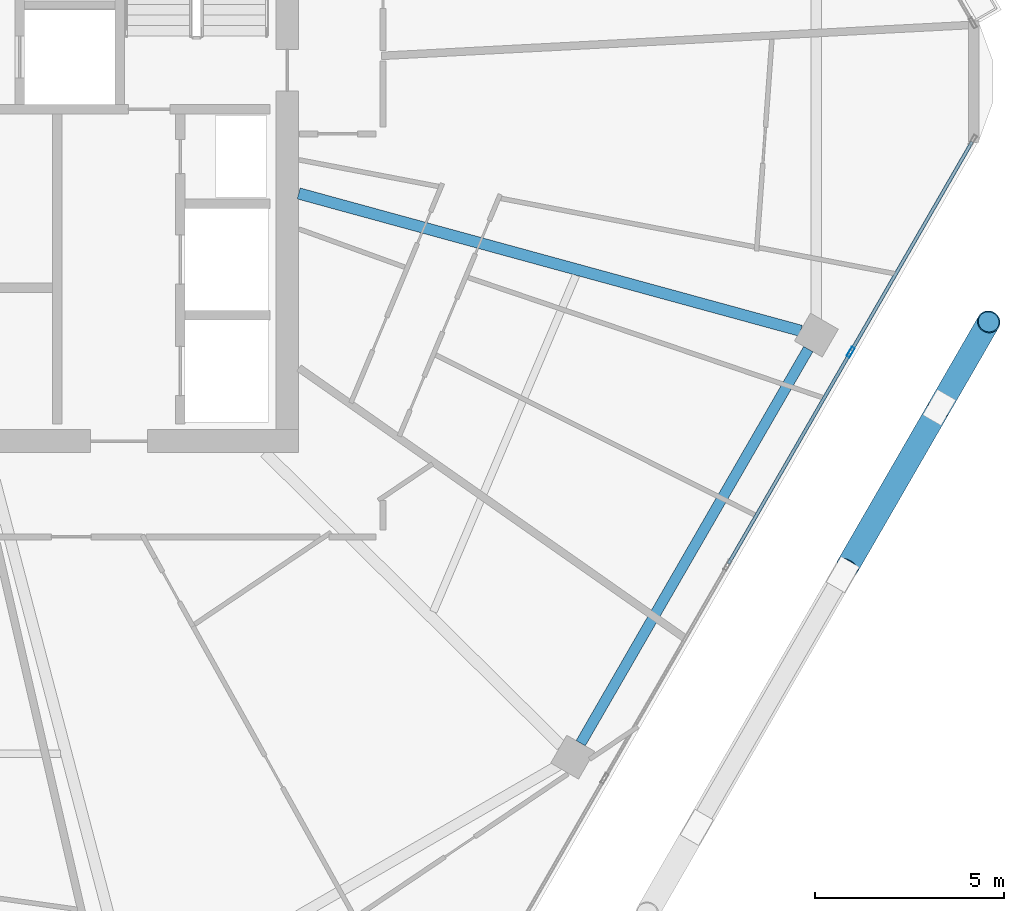
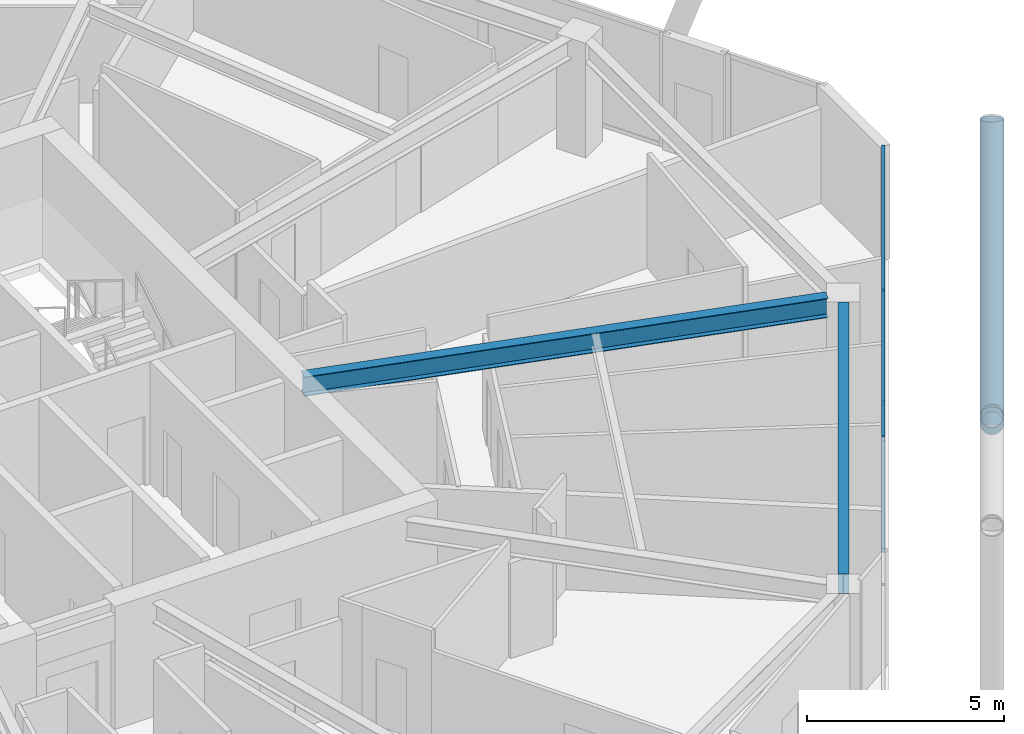
# One storey, part 10 of 28: 7 members, 2 beams, 1 element without a shape of its own.
"""IFC4 building model written with IfcOpenShell, lengths in metres."""

from ifc_helpers import new_model, si_unit, direction, frame, origin, origin_2d, place, context, subcontext, project, spatial, hollow_rectangle, hollow_circle, i_section, extrude, material, material_profile, profile_set, type_object, element, aggregate, save


model = new_model("IFC4")

# Units and contexts
model_context = context("Model", 3, precision=1e-05, world=origin(), true_north=direction((0.0, 1.0)))
body_context = subcontext(model_context, "Body", "Model", "MODEL_VIEW")
ifc_project = project(units=[si_unit("LENGTHUNIT", "METRE"), si_unit("AREAUNIT", "SQUARE_METRE"), si_unit("VOLUMEUNIT", "CUBIC_METRE"), si_unit("PLANEANGLEUNIT", "RADIAN"), si_unit("MASSUNIT", "GRAM", prefix="KILO")], contexts=[model_context])

# Site, building, storey
site_placement = place(None, origin())
site = spatial("IfcSite", under=ifc_project, at=site_placement, CompositionType="ELEMENT")
building_placement = place(site_placement, origin())
building = spatial("IfcBuilding", under=site, at=building_placement, Name="Zuhravey Tower", CompositionType="ELEMENT")
storey_placement = place(building_placement, frame((0.0, 0.0, 284.39990234375)))
storey = spatial("IfcBuildingStorey", under=building, at=storey_placement, Name="L72", CompositionType="ELEMENT", Elevation=284.39990234375)

# Curtain wall, members
ifc_material_1 = material(Name="Thermally broken anodised aluminium", Category="aluminium")
curtain_wall_type = type_object("IfcCurtainWallType", Name="Zone 3-4 High-Rise Curtain Wall CW4", PredefinedType="NOTDEFINED", material=ifc_material_1)
curtain_wall_placement = place(storey_placement, origin())
curtain_wall = element("IfcCurtainWall", 1, at=curtain_wall_placement, inside=storey, type_object=curtain_wall_type, Name="L72 CW4 CW-L72-F6-1", PredefinedType="NOTDEFINED")
ifc_material_2 = material(Name="Anodised aluminium", Category="aluminium")
ifc_material_profile_1 = material_profile(ifc_material_2, hollow_rectangle(XDim=0.090087890625, YDim=0.284912109375, WallThickness=0.0048828125, at=origin_2d()), Name="ALU-RHS-90x285x5")
ifc_profile_set_1 = profile_set([ifc_material_profile_1], Name="Anodised aluminium")
member_type_1 = type_object("IfcMemberType", Name="Curtain-Wall Mullion 90x180", PredefinedType="MULLION", material=ifc_profile_set_1)
member_1_placement = place(storey_placement, frame((61.391845703125, 24.852783203125, 0.0), z_axis=(0.0, 0.0, 1.0), x_axis=(0.866024851021, -0.500000957414, 0.0)))
member_1 = element("IfcMember", 2, at=member_1_placement, type_object=member_type_1, Name="CW4 mullion 2", PredefinedType="MULLION", context=body_context, shape_type="SweptSolid", body=[
    extrude(hollow_rectangle(XDim=0.090087890625, YDim=0.284912109375, WallThickness=0.0048828125, at=origin_2d()), origin(), (0.0, 0.0, 1.0), 3.550048828125),
])
ifc_material_profile_2 = material_profile(ifc_material_2, hollow_rectangle(XDim=0.090087890625, YDim=0.14990234375, WallThickness=0.0048828125, at=origin_2d()), Name="ALU-RHS-90x150x5")
ifc_profile_set_2 = profile_set([ifc_material_profile_2], Name="Anodised aluminium")
member_type_2 = type_object("IfcMemberType", Name="Curtain-Wall Transom 90x150", PredefinedType="USERDEFINED", material=ifc_profile_set_2)
member_2_placement = place(storey_placement, frame((64.60009765625, 30.40966796875, 0.045166015625), z_axis=(-0.500008810174, -0.866020317169, 0.0), x_axis=(0.866020317169, -0.500008810174, 0.0)))
member_2 = element("IfcMember", 3, at=member_2_placement, type_object=member_type_2, Name="CW4 transom 1.1", ObjectType="TRANSOM", PredefinedType="USERDEFINED", context=body_context, shape_type="SweptSolid", body=[
    extrude(hollow_rectangle(XDim=0.090087890625, YDim=0.14990234375, WallThickness=0.0048828125, at=origin_2d()), origin(), (0.0, 0.0, 1.0), 6.37158203125),
])
member_3_placement = place(storey_placement, frame((64.60009765625, 30.40966796875, 3.505126953125), z_axis=(-0.500008810174, -0.866020317169, 0.0), x_axis=(0.866020317169, -0.500008810174, 0.0)))
member_3 = element("IfcMember", 4, at=member_3_placement, type_object=member_type_2, Name="CW4 transom 1.2", ObjectType="TRANSOM", PredefinedType="USERDEFINED", context=body_context, shape_type="SweptSolid", body=[
    extrude(hollow_rectangle(XDim=0.090087890625, YDim=0.14990234375, WallThickness=0.0048828125, at=origin_2d()), origin(), (0.0, 0.0, 1.0), 6.37158203125),
])
member_4_placement = place(storey_placement, frame((61.369384765625, 24.81396484375, 0.045166015625), z_axis=(-0.499998017366, -0.866026548456, 0.0), x_axis=(0.866026548456, -0.499998017366, 0.0)))
member_4 = element("IfcMember", 5, at=member_4_placement, type_object=member_type_2, Name="CW4 transom 2.1", ObjectType="TRANSOM", PredefinedType="USERDEFINED", context=body_context, shape_type="SweptSolid", body=[
    extrude(hollow_rectangle(XDim=0.090087890625, YDim=0.14990234375, WallThickness=0.0048828125, at=origin_2d()), origin(), (0.0, 0.0, 1.0), 6.41650390625),
])
member_5_placement = place(storey_placement, frame((61.369384765625, 24.81396484375, 3.505126953125), z_axis=(-0.499998017366, -0.866026548456, 0.0), x_axis=(0.866026548456, -0.499998017366, 0.0)))
member_5 = element("IfcMember", 6, at=member_5_placement, type_object=member_type_2, Name="CW4 transom 2.2", ObjectType="TRANSOM", PredefinedType="USERDEFINED", context=body_context, shape_type="SweptSolid", body=[
    extrude(hollow_rectangle(XDim=0.090087890625, YDim=0.14990234375, WallThickness=0.0048828125, at=origin_2d()), origin(), (0.0, 0.0, 1.0), 6.41650390625),
])
aggregate(curtain_wall, [member_1, member_2, member_3, member_4, member_5])

# Members
ifc_material_3 = material(Name="Steel SM355", Category="steel")
ifc_material_profile_3 = material_profile(ifc_material_3, hollow_circle(Radius=0.3046875, WallThickness=0.028076171875, at=origin_2d()), Name="CHS-609.6x28")
ifc_profile_set_3 = profile_set([ifc_material_profile_3], Name="Steel SM355")
member_type_3 = type_object("IfcMemberType", Name="Exoskeleton Zone 3 Diagrid CHS610x28", PredefinedType="BRACE", material=ifc_profile_set_3)
member_6_placement = place(storey_placement, frame((63.73583984375, 23.392822265625, -0.44580078125), z_axis=(0.163030622365, 0.282366718953, 0.945351813982), x_axis=(-0.866017274468, 0.500014080125, 0.0)))
element("IfcMember", 7, at=member_6_placement, inside=storey, type_object=member_type_3, Name="L72 Face 6 Diagrid Brace 4", PredefinedType="BRACE", context=body_context, shape_type="SweptSolid", body=[
    extrude(hollow_circle(Radius=0.3046875, WallThickness=0.028076171875, at=origin_2d()), origin(), (0.0, 0.0, 1.0), 8.001220703125),
])
member_7_placement = place(storey_placement, frame((63.716552734375, 23.359130859375, -0.439453125), z_axis=(-0.400891125814, -0.694302238023, 0.597687801047), x_axis=(0.866006207073, -0.500033248206, 0.0)))
element("IfcMember", 8, at=member_7_placement, inside=storey, type_object=member_type_3, Name="L72 Face 6 Split Diagrid Brace 3A", PredefinedType="BRACE", context=body_context, shape_type="SweptSolid", body=[
    extrude(hollow_circle(Radius=0.3046875, WallThickness=0.028076171875, at=origin_2d()), origin(), (0.0, 0.0, 1.0), 6.021728515625),
])

# Beams
ifc_material_profile_4 = material_profile(ifc_material_3, i_section(OverallWidth=0.280029296875, OverallDepth=0.6201171875, WebThickness=0.011962890625, FlangeThickness=0.02001953125, at=origin_2d()), Name="H-620x280x12x20")
ifc_profile_set_4 = profile_set([ifc_material_profile_4], Name="Steel SM355")
beam_type_1 = type_object("IfcBeamType", Name="Perimeter Ring Beam H620x280", PredefinedType="BEAM", material=ifc_profile_set_4)
beam_1_placement = place(storey_placement, frame((54.257568359375, 14.515869140625, 3.239990234375), z_axis=(0.500005971936, 0.866021955858, 0.0), x_axis=(-0.866021955858, 0.500005971936, 0.0)))
element("IfcBeam", 9, at=beam_1_placement, inside=storey, type_object=beam_type_1, Name="L72 PB3 BM-L72-PB-11", PredefinedType="BEAM", context=body_context, shape_type="SweptSolid", body=[
    extrude(i_section(OverallWidth=0.280029296875, OverallDepth=0.6201171875, WebThickness=0.011962890625, FlangeThickness=0.02001953125, at=origin_2d()), origin(), (0.0, 0.0, 1.0), 12.025634765625),
])
ifc_material_profile_5 = material_profile(ifc_material_3, i_section(OverallWidth=0.300048828125, OverallDepth=0.60009765625, WebThickness=0.011962890625, FlangeThickness=0.02001953125, at=origin_2d()), Name="H-600x300x12x20")
ifc_profile_set_5 = profile_set([ifc_material_profile_5], Name="Steel SM355")
beam_type_2 = type_object("IfcBeamType", Name="Radial Primary Girder H600x300", PredefinedType="BEAM", material=ifc_profile_set_5)
beam_2_placement = place(storey_placement, frame((46.802978515625, 29.04443359375, 3.25), z_axis=(0.964549305009, -0.263902705947, 0.0), x_axis=(0.263902705947, 0.964549305009, 0.0)))
element("IfcBeam", 10, at=beam_2_placement, inside=storey, type_object=beam_type_2, Name="L72 RG3 BM-L72-RAD-12", PredefinedType="BEAM", context=body_context, shape_type="SweptSolid", body=[
    extrude(i_section(OverallWidth=0.300048828125, OverallDepth=0.60009765625, WebThickness=0.011962890625, FlangeThickness=0.02001953125, at=origin_2d()), origin(), (0.0, 0.0, 1.0), 13.756591796875),
])

save(model, "model.ifc")
